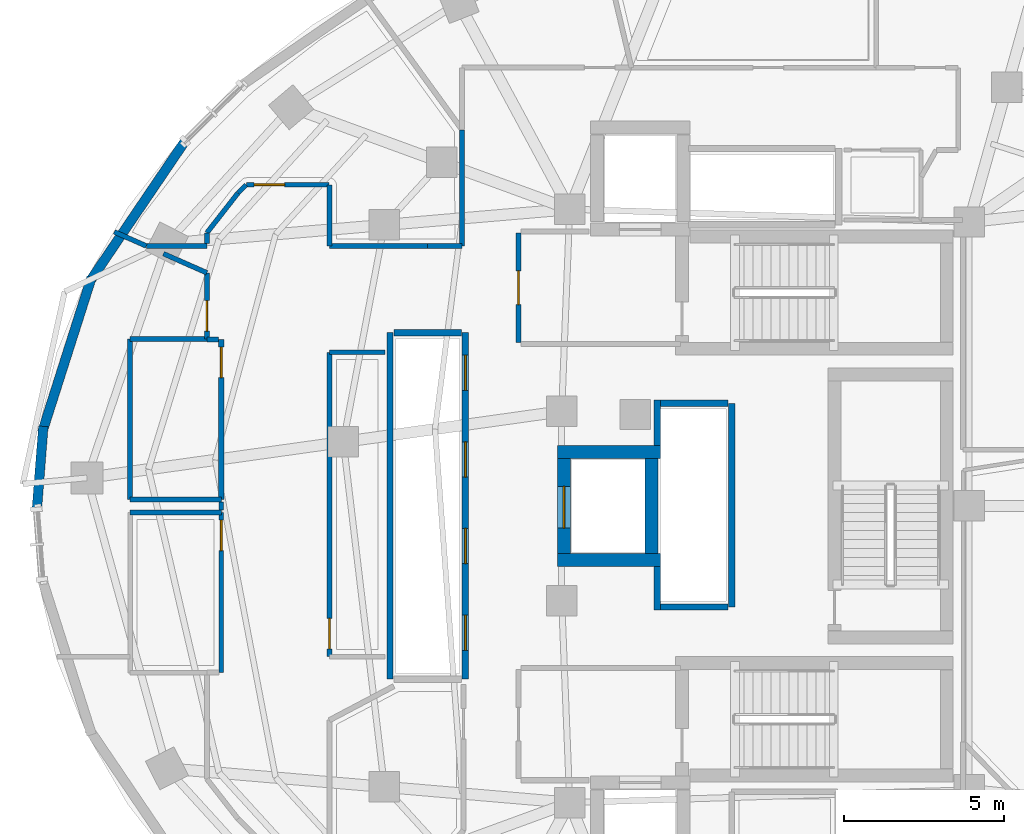
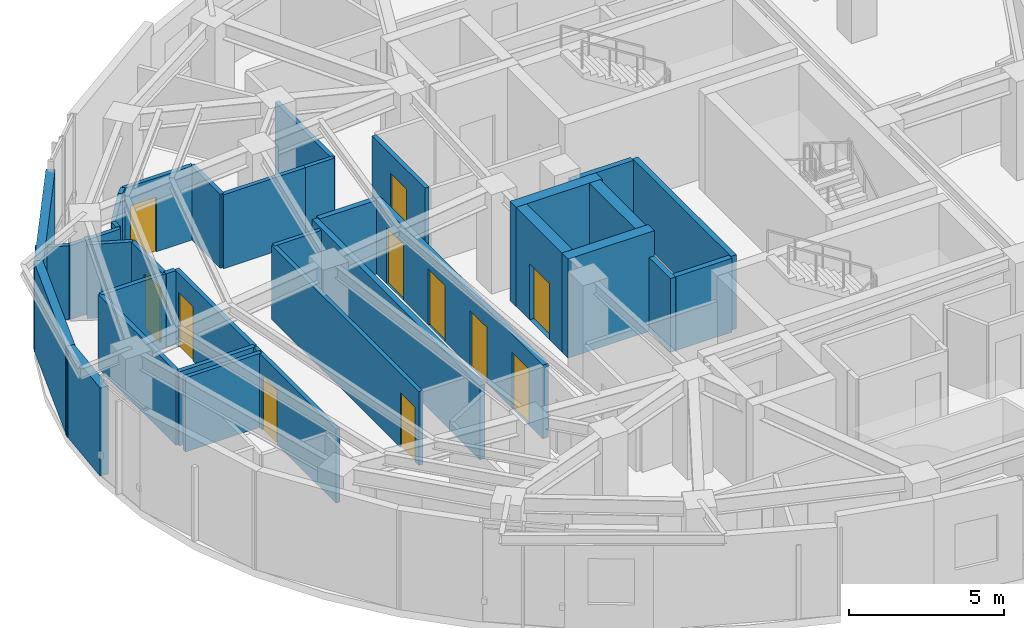
# One storey, part 8 of 13: 38 walls, 11 doors, 11 openings.
"""IFC4 building model written with IfcOpenShell, lengths in metres."""

import ifcopenshell
import ifcopenshell.guid

model = None  # the IFC model being written
_history = None  # IfcOwnerHistory: only IFC2X3 demands one
_inside = {}  # id of a spatial element -> (the spatial element, [elements in it])
_under = {}  # id of a project, library or spatial element -> (it, [spatial elements below it])
_declared = {}  # id of a project -> (the project, [libraries it declares])
_typed = {}  # id of a type object -> (the type object, [elements of that type])
_made_of = {}  # id of a material, layer set ... -> (it, [elements and type objects made of it])


def new_model(schema):
    """Start an empty IFC model of exactly this schema.

    Asked for "IFC4X3", IfcOpenShell would pick the latest addendum, in which some entities
    have other attributes; the version numbers below select the first issue.
    IFC2X3 requires an IfcOwnerHistory on every rooted entity: one is made here for all.
    """
    global model, _history
    if schema == "IFC4X3":
        model = ifcopenshell.file(schema_version=(4, 3, 0, 0))
    else:
        model = ifcopenshell.file(schema=schema)
    _inside.clear()
    _under.clear()
    _declared.clear()
    _typed.clear()
    _made_of.clear()
    _history = None
    if model.schema == "IFC2X3":
        org = make("IfcOrganization", Name="unknown")
        user = make(
            "IfcPersonAndOrganization",
            ThePerson=make("IfcPerson", FamilyName="unknown"),
            TheOrganization=org,
        )
        app = make(
            "IfcApplication",
            ApplicationDeveloper=org,
            Version="unknown",
            ApplicationFullName="unknown",
            ApplicationIdentifier="unknown",
        )
        _history = make(
            "IfcOwnerHistory",
            OwningUser=user,
            OwningApplication=app,
            ChangeAction="ADDED",
            CreationDate=0,
        )
    return model


def make(cls, **values):
    """One entity of the class cls with the attributes given. An attribute that is None is left unset."""
    return model.create_entity(
        cls, **{name: value for name, value in values.items() if value is not None}
    )


def rooted(cls, **values):
    """An entity with a GlobalId (a new one), such as an element, a storey or a relation."""
    return make(cls, GlobalId=ifcopenshell.guid.new(), OwnerHistory=_history, **values)


def si_unit(unit_type, name, prefix=None):
    """IfcSIUnit, for example si_unit("LENGTHUNIT", "METRE", prefix="MILLI")."""
    return make("IfcSIUnit", UnitType=unit_type, Prefix=prefix, Name=name)


def assignment(units):
    """IfcUnitAssignment: the units of a project."""
    return None if units is None else make("IfcUnitAssignment", Units=units)


def point(xyz):
    """IfcCartesianPoint."""
    return None if xyz is None else make("IfcCartesianPoint", Coordinates=xyz)


def direction(xyz):
    """IfcDirection."""
    return None if xyz is None else make("IfcDirection", DirectionRatios=xyz)


def frame(location, z_axis=None, x_axis=None):
    """IfcAxis2Placement3D, a coordinate frame: its origin and axes. An axis left out is left unset."""
    return make(
        "IfcAxis2Placement3D",
        Location=point(location),
        Axis=direction(z_axis),
        RefDirection=direction(x_axis),
    )


def frame_2d(location, x_axis=None):
    """IfcAxis2Placement2D, a coordinate frame in the plane: its origin and x axis."""
    return make(
        "IfcAxis2Placement2D", Location=point(location), RefDirection=direction(x_axis)
    )


def origin():
    """The frame at (0, 0, 0) with its axes left unset."""
    return frame((0.0, 0.0, 0.0))


def place(relative_to, where):
    """IfcLocalPlacement: puts the frame where relative to a parent placement (None: the world)."""
    return make(
        "IfcLocalPlacement", PlacementRelTo=relative_to, RelativePlacement=where
    )


def context(
    kind, dimensions, precision=None, world=None, true_north=None, identifier=None
):
    """IfcGeometricRepresentationContext, for example the 3D "Model" context."""
    return make(
        "IfcGeometricRepresentationContext",
        ContextIdentifier=identifier,
        ContextType=kind,
        CoordinateSpaceDimension=dimensions,
        Precision=precision,
        WorldCoordinateSystem=world,
        TrueNorth=true_north,
    )


def subcontext(parent, identifier, kind, view, scale=None):
    """IfcGeometricRepresentationSubContext, for example "Body" below "Model"."""
    return make(
        "IfcGeometricRepresentationSubContext",
        ContextIdentifier=identifier,
        ContextType=kind,
        ParentContext=parent,
        TargetScale=scale,
        TargetView=view,
    )


def project(units=None, contexts=None):
    """IfcProject with its units and contexts."""
    return rooted(
        "IfcProject",
        Name="project",
        RepresentationContexts=contexts,
        UnitsInContext=assignment(units),
    )


def spatial(cls, under=None, at=None, **own):
    """A site, building, storey or space (cls), placed at a placement, below another one or the project."""
    s = rooted(cls, ObjectPlacement=at, **own)
    if under is not None:
        _under.setdefault(under.id(), (under, []))[1].append(s)
    return s


def profile(cls, at=None, kind="AREA", **sizes):
    """A parametric profile (cls). Its sizes go by their IFC names, for example OverallWidth=200.0."""
    return make(cls, ProfileType=kind, Position=at, **sizes)


def rectangle(**sizes):
    """IfcRectangleProfileDef."""
    return profile("IfcRectangleProfileDef", **sizes)


def extrude(swept, where, along, depth):
    """IfcExtrudedAreaSolid: the profile swept, set in the frame where, extruded along a direction by depth."""
    return make(
        "IfcExtrudedAreaSolid",
        SweptArea=swept,
        Position=where,
        ExtrudedDirection=direction(along),
        Depth=depth,
    )


def shape(context_of_items, identifier, shape_type, items):
    """IfcShapeRepresentation: the items that make up one representation, for example the "Body"."""
    return make(
        "IfcShapeRepresentation",
        ContextOfItems=context_of_items,
        RepresentationIdentifier=identifier,
        RepresentationType=shape_type,
        Items=items,
    )


def material(Name=None, Category=None):
    """IfcMaterial."""
    return make("IfcMaterial", Name=Name, Category=Category)


def layer(
    of_material, thickness, ventilated=None, Name=None, Category=None, Priority=None
):
    """IfcMaterialLayer: one layer of a wall or slab, of a material (None: an air gap)."""
    return make(
        "IfcMaterialLayer",
        Material=of_material,
        LayerThickness=thickness,
        IsVentilated=ventilated,
        Name=Name,
        Category=Category,
        Priority=Priority,
    )


def layer_set(layers, Name=None):
    """IfcMaterialLayerSet."""
    return make("IfcMaterialLayerSet", MaterialLayers=layers, LayerSetName=Name)


def made_of(thing, what):
    """Note that an element or type object is made of a material, layer set ...; save() writes the relation."""
    if what is not None:
        _made_of.setdefault(what.id(), (what, []))[1].append(thing)
    return thing


def type_object(cls, material=None, **own):
    """A type object (cls), such as IfcWallType, which elements share."""
    return made_of(rooted(cls, **own), material)


def element(
    cls,
    number,
    at=None,
    inside=None,
    cuts=None,
    type_object=None,
    material=None,
    context=None,
    identifier="Body",
    shape_type=None,
    held_by="IfcProductDefinitionShape",
    body=None,
    shapes=None,
    **own,
):
    """One element of the class cls, such as IfcWall. Its Tag is "e" and its number.

    at: its placement. inside: the storey or other place that contains it. cuts: it is an
    opening in that element (IfcRelVoidsElement). A single representation is given by context,
    identifier, shape_type and body (its items); several are given by shapes. held_by: the class
    of the entity that holds the representations. save() writes the other relations.
    """
    e = rooted(cls, Tag="e%d" % number, ObjectPlacement=at, **own)
    if body is not None:
        shapes = [shape(context, identifier, shape_type, body)]
    if shapes is not None:
        e.Representation = make(held_by, Representations=shapes)
    if inside is not None:
        _inside.setdefault(inside.id(), (inside, []))[1].append(e)
    if cuts is not None:
        rooted(
            "IfcRelVoidsElement", RelatingBuildingElement=cuts, RelatedOpeningElement=e
        )
    if type_object is not None:
        _typed.setdefault(type_object.id(), (type_object, []))[1].append(e)
    return made_of(e, material)


def fill(opening, filler):
    """IfcRelFillsElement: the door or window that sits in an opening."""
    return rooted(
        "IfcRelFillsElement",
        RelatingOpeningElement=opening,
        RelatedBuildingElement=filler,
    )


def aggregate(whole, parts):
    """IfcRelAggregates: a whole, such as a stair, and the parts it consists of."""
    return rooted("IfcRelAggregates", RelatingObject=whole, RelatedObjects=parts)


def save(model, path):
    """Write the relations noted so far, then the file.

    IfcRelAggregates (storeys below a building ...), IfcRelContainedInSpatialStructure (elements
    in a storey), IfcRelDefinesByType, IfcRelAssociatesMaterial and IfcRelDeclares: one each for
    every whole, place, type object, material and project.
    """
    for whole, parts in _under.values():
        aggregate(whole, parts)
    for where, things in _inside.values():
        rooted(
            "IfcRelContainedInSpatialStructure",
            RelatedElements=things,
            RelatingStructure=where,
        )
    for kind, things in _typed.values():
        rooted("IfcRelDefinesByType", RelatedObjects=things, RelatingType=kind)
    for what, things in _made_of.values():
        rooted("IfcRelAssociatesMaterial", RelatedObjects=things, RelatingMaterial=what)
    for by, libraries in _declared.values():
        rooted("IfcRelDeclares", RelatingContext=by, RelatedDefinitions=libraries)
    model.write(path)


model = new_model("IFC4")

# Units and contexts
model_context = context("Model", 3, precision=1e-05, world=origin(), true_north=direction((0.0, 1.0)))
body_context = subcontext(model_context, "Body", "Model", "MODEL_VIEW")
ifc_project = project(units=[si_unit("LENGTHUNIT", "METRE"), si_unit("AREAUNIT", "SQUARE_METRE"), si_unit("VOLUMEUNIT", "CUBIC_METRE"), si_unit("PLANEANGLEUNIT", "RADIAN"), si_unit("MASSUNIT", "GRAM", prefix="KILO")], contexts=[model_context])

# Site, building, storey
site_placement = place(None, origin())
site = spatial("IfcSite", under=ifc_project, at=site_placement, CompositionType="ELEMENT")
building_placement = place(site_placement, origin())
building = spatial("IfcBuilding", under=site, at=building_placement, Name="Korentha Bioscience Tower", CompositionType="ELEMENT")
storey_placement = place(building_placement, frame((0.0, 0.0, 200.39990234375)))
storey = spatial("IfcBuildingStorey", under=building, at=storey_placement, Name="L46", CompositionType="ELEMENT", Elevation=200.39990234375)

# Wall, opening, door
ifc_material_1 = material(Name="Double-Stud Acoustic Gypsum", Category="gypsum")
ifc_layer_1 = layer(ifc_material_1, 0.14990234375, Name="Double-Stud Acoustic Gypsum")
ifc_layer_set_1 = layer_set([ifc_layer_1], Name="Double-Stud Acoustic Gypsum (IW-L150)")
wall_type_1 = type_object("IfcWallType", Name="Acoustic Laboratory Partition Wall 150", PredefinedType="PARTITIONING", material=ifc_layer_set_1)
wall_1_placement = place(storey_placement, frame((14.239990234375, 26.800048828125, 0.0), z_axis=(0.0, 0.0, 1.0), x_axis=(0.0, -1.0, 0.0)))
wall_1 = element("IfcWall", 1, at=wall_1_placement, inside=storey, type_object=wall_type_1, Name="L46 Reclaimed Bank-1 Cold Freezer Alcove Entrance Wall", PredefinedType="PARTITIONING", context=body_context, shape_type="SweptSolid", body=[
    extrude(rectangle(XDim=4.989990234375, YDim=0.14990234375, at=frame_2d((2.4951171875, 0.0))), origin(), (0.0, 0.0, 1.0), 2.91015625),
])
opening_1_placement = place(wall_1_placement, frame((0.239990234375, 0.0, 0.0)))
opening_1 = element("IfcOpeningElement", 2, at=opening_1_placement, cuts=wall_1, Name="Opening ID-10L", PredefinedType="OPENING", context=body_context, shape_type="SweptSolid", body=[
    extrude(rectangle(XDim=0.949951171875, YDim=2.14990234375, at=frame_2d((0.47509765625, 1.074951171875))), frame((0.0, 0.08984375, 0.0), z_axis=(0.0, -1.0, 0.0), x_axis=(1.0, 0.0, 0.0)), (0.0, 0.0, 1.0), 0.1796875),
])
ifc_material_2 = material(Name="Phenolic Laminate Timber Core", Category="wood")
door_type_1 = type_object("IfcDoorType", Name="Laboratory Single Leaf Door 950x2150 Left", OperationType="SINGLE_SWING_LEFT", PredefinedType="DOOR", material=ifc_material_2)
door_1_placement = place(opening_1_placement, origin())
door_1 = element("IfcDoor", 3, at=door_1_placement, inside=storey, type_object=door_type_1, Name="L46 Reclaimed Bank-1 Cold Freezer Alcove Door", OperationType="SINGLE_SWING_LEFT", OverallHeight=2.14990234375, OverallWidth=0.949951171875, PredefinedType="DOOR", context=body_context, shape_type="SweptSolid", body=[
    extrude(rectangle(XDim=0.949951171875, YDim=2.14990234375, at=frame_2d((0.47509765625, 1.074951171875))), frame((0.0, 0.02490234375, 0.0), z_axis=(0.0, -1.0, 0.0), x_axis=(1.0, 0.0, 0.0)), (0.0, 0.0, 1.0), 0.050048828125),
])
fill(opening_1, door_1)

wall_2_placement = place(storey_placement, frame((17.60009765625, 37.010009765625, 0.0), z_axis=(0.0, 0.0, 1.0), x_axis=(-1.0, 0.0, 0.0)))
wall_2 = element("IfcWall", 4, at=wall_2_placement, inside=storey, type_object=wall_type_1, Name="L46 Automated High-Throughput Assay Lab 11 Entrance Wall", PredefinedType="PARTITIONING", context=body_context, shape_type="SweptSolid", body=[
    extrude(rectangle(XDim=2.576416015625, YDim=0.14990234375, at=frame_2d((1.2880859375, 0.0))), origin(), (0.0, 0.0, 1.0), 2.91015625),
])
opening_2_placement = place(wall_2_placement, frame((1.38623046875, 0.0, 0.0)))
opening_2 = element("IfcOpeningElement", 5, at=opening_2_placement, cuts=wall_2, Name="Opening ID-10L", PredefinedType="OPENING", context=body_context, shape_type="SweptSolid", body=[
    extrude(rectangle(XDim=0.949951171875, YDim=2.14990234375, at=frame_2d((0.47509765625, 1.074951171875))), frame((0.0, 0.08984375, 0.0), z_axis=(0.0, -1.0, 0.0), x_axis=(1.0, 0.0, 0.0)), (0.0, 0.0, 1.0), 0.1796875),
])
door_2_placement = place(opening_2_placement, origin())
door_2 = element("IfcDoor", 6, at=door_2_placement, inside=storey, type_object=door_type_1, Name="L46 Automated High-Throughput Assay Lab 11 Door", OperationType="SINGLE_SWING_LEFT", OverallHeight=2.14990234375, OverallWidth=0.949951171875, PredefinedType="DOOR", context=body_context, shape_type="SweptSolid", body=[
    extrude(rectangle(XDim=0.949951171875, YDim=2.14990234375, at=frame_2d((0.47509765625, 1.074951171875))), frame((0.0, 0.02490234375, 0.0), z_axis=(0.0, -1.0, 0.0), x_axis=(1.0, 0.0, 0.0)), (0.0, 0.0, 1.0), 0.050048828125),
])
fill(opening_2, door_2)

wall_3_placement = place(storey_placement, frame((13.7900390625, 34.265625, 0.0), z_axis=(0.0, 0.0, 1.0), x_axis=(0.0, -1.0, 0.0)))
wall_3 = element("IfcWall", 7, at=wall_3_placement, inside=storey, type_object=wall_type_1, Name="L46 Mass-Spectrometry Analytical Suite 12 Entrance Wall", PredefinedType="PARTITIONING", context=body_context, shape_type="SweptSolid", body=[
    extrude(rectangle(XDim=2.0556640625, YDim=0.14990234375, at=frame_2d((1.02783203125, 0.0))), origin(), (0.0, 0.0, 1.0), 2.91015625),
])
opening_3_placement = place(wall_3_placement, frame((0.865478515625, 0.0, 0.0)))
opening_3 = element("IfcOpeningElement", 8, at=opening_3_placement, cuts=wall_3, Name="Opening ID-10R", PredefinedType="OPENING", context=body_context, shape_type="SweptSolid", body=[
    extrude(rectangle(XDim=0.949951171875, YDim=2.14990234375, at=frame_2d((0.47509765625, 1.074951171875))), frame((0.0, 0.08984375, 0.0), z_axis=(0.0, -1.0, 0.0), x_axis=(1.0, 0.0, 0.0)), (0.0, 0.0, 1.0), 0.1796875),
])
door_type_2 = type_object("IfcDoorType", Name="Laboratory Single Leaf Door 950x2150 Right", OperationType="SINGLE_SWING_RIGHT", PredefinedType="DOOR", material=ifc_material_2)
door_3_placement = place(opening_3_placement, origin())
door_3 = element("IfcDoor", 9, at=door_3_placement, inside=storey, type_object=door_type_2, Name="L46 Mass-Spectrometry Analytical Suite 12 Door", OperationType="SINGLE_SWING_RIGHT", OverallHeight=2.14990234375, OverallWidth=0.949951171875, PredefinedType="DOOR", context=body_context, shape_type="SweptSolid", body=[
    extrude(rectangle(XDim=0.949951171875, YDim=2.14990234375, at=frame_2d((0.47509765625, 1.074951171875))), frame((0.0, 0.02490234375, 0.0), z_axis=(0.0, -1.0, 0.0), x_axis=(1.0, 0.0, 0.0)), (0.0, 0.0, 1.0), 0.050048828125),
])
fill(opening_3, door_3)

wall_4_placement = place(storey_placement, frame((17.610107421875, 22.302001953125, 0.0), z_axis=(0.0, 0.0, 1.0), x_axis=(0.0, 1.0, 0.0)))
wall_4 = element("IfcWall", 10, at=wall_4_placement, inside=storey, type_object=wall_type_1, Name="L46 HPLC Chromatography Room 13 Entrance Wall", PredefinedType="PARTITIONING", context=body_context, shape_type="SweptSolid", body=[
    extrude(rectangle(XDim=9.488037109375, YDim=0.14990234375, at=frame_2d((4.744140625, 0.0))), origin(), (0.0, 0.0, 1.0), 2.91015625),
])
opening_4_placement = place(wall_4_placement, frame((0.239990234375, 0.0, 0.0)))
opening_4 = element("IfcOpeningElement", 11, at=opening_4_placement, cuts=wall_4, Name="Opening ID-10L", PredefinedType="OPENING", context=body_context, shape_type="SweptSolid", body=[
    extrude(rectangle(XDim=0.949951171875, YDim=2.14990234375, at=frame_2d((0.47509765625, 1.074951171875))), frame((0.0, 0.08984375, 0.0), z_axis=(0.0, -1.0, 0.0), x_axis=(1.0, 0.0, 0.0)), (0.0, 0.0, 1.0), 0.1796875),
])
door_4_placement = place(opening_4_placement, origin())
door_4 = element("IfcDoor", 12, at=door_4_placement, inside=storey, type_object=door_type_1, Name="L46 HPLC Chromatography Room 13 Door", OperationType="SINGLE_SWING_LEFT", OverallHeight=2.14990234375, OverallWidth=0.949951171875, PredefinedType="DOOR", context=body_context, shape_type="SweptSolid", body=[
    extrude(rectangle(XDim=0.949951171875, YDim=2.14990234375, at=frame_2d((0.47509765625, 1.074951171875))), frame((0.0, 0.02490234375, 0.0), z_axis=(0.0, -1.0, 0.0), x_axis=(1.0, 0.0, 0.0)), (0.0, 0.0, 1.0), 0.050048828125),
])
fill(opening_4, door_4)

# Walls
wall_5_placement = place(storey_placement, frame((11.39990234375, 26.800048828125, 0.0), z_axis=(0.0, 0.0, 1.0), x_axis=(1.0, 0.0, 0.0)))
element("IfcWall", 13, at=wall_5_placement, inside=storey, type_object=wall_type_1, Name="L46 Interior Partition 028", PredefinedType="PARTITIONING", context=body_context, shape_type="SweptSolid", body=[
    extrude(rectangle(XDim=2.840087890625, YDim=0.14990234375, at=frame_2d((1.419921875, 0.0))), origin(), (0.0, 0.0, 1.0), 2.91015625),
])
wall_6_placement = place(storey_placement, frame((21.739990234375, 38.721923828125, 0.0), z_axis=(0.0, 0.0, 1.0), x_axis=(0.0, -1.0, 0.0)))
element("IfcWall", 14, at=wall_6_placement, inside=storey, type_object=wall_type_1, Name="L46 Interior Partition 073", PredefinedType="PARTITIONING", context=body_context, shape_type="SweptSolid", body=[
    extrude(rectangle(XDim=3.619873046875, YDim=0.14990234375, at=frame_2d((1.81005859375, 0.0))), origin(), (0.0, 0.0, 1.0), 2.91015625),
])
wall_7_placement = place(storey_placement, frame((21.739990234375, 35.10205078125, 0.0), z_axis=(0.0, 0.0, 1.0), x_axis=(-1.0, 0.0, 0.0)))
element("IfcWall", 15, at=wall_7_placement, inside=storey, type_object=wall_type_1, Name="L46 Interior Partition 074", PredefinedType="PARTITIONING", context=body_context, shape_type="SweptSolid", body=[
    extrude(rectangle(XDim=1.072021484375, YDim=0.14990234375, at=frame_2d((0.5361328125, 0.0))), origin(), (0.0, 0.0, 1.0), 2.91015625),
])
wall_8_placement = place(storey_placement, frame((20.661376953125, 35.10205078125, 0.0), z_axis=(0.0, 0.0, 1.0), x_axis=(-1.0, 0.0, 0.0)))
element("IfcWall", 16, at=wall_8_placement, inside=storey, type_object=wall_type_1, Name="L46 Interior Partition 075", PredefinedType="PARTITIONING", context=body_context, shape_type="SweptSolid", body=[
    extrude(rectangle(XDim=3.05126953125, YDim=0.14990234375, at=frame_2d((1.525634765625, 0.0))), origin(), (0.0, 0.0, 1.0), 2.91015625),
])
wall_9_placement = place(storey_placement, frame((17.610107421875, 35.10205078125, 0.0), z_axis=(0.0, 0.0, 1.0), x_axis=(0.0, 1.0, 0.0)))
element("IfcWall", 17, at=wall_9_placement, inside=storey, type_object=wall_type_1, Name="L46 Interior Partition 076", PredefinedType="PARTITIONING", context=body_context, shape_type="SweptSolid", body=[
    extrude(rectangle(XDim=1.89794921875, YDim=0.14990234375, at=frame_2d((0.948974609375, 0.0))), origin(), (0.0, 0.0, 1.0), 2.91015625),
])
wall_10_placement = place(storey_placement, frame((15.0166015625, 37.007080078125, 0.0), z_axis=(0.0, 0.0, 1.0), x_axis=(-0.711174408111, -0.70301561949, 0.0)))
element("IfcWall", 18, at=wall_10_placement, inside=storey, type_object=wall_type_1, Name="L46 Interior Partition 077", PredefinedType="PARTITIONING", context=body_context, shape_type="SweptSolid", body=[
    extrude(rectangle(XDim=0.359130859375, YDim=0.14990234375, at=frame_2d((0.1796875, 0.0))), origin(), (0.0, 0.0, 1.0), 2.91015625),
])
wall_11_placement = place(storey_placement, frame((14.760498046875, 36.753662109375, 0.0), z_axis=(0.0, 0.0, 1.0), x_axis=(-0.615625972761, -0.788038489962, 0.0)))
element("IfcWall", 19, at=wall_11_placement, inside=storey, type_object=wall_type_1, Name="L46 Interior Partition 078", PredefinedType="PARTITIONING", context=body_context, shape_type="SweptSolid", body=[
    extrude(rectangle(XDim=1.5732421875, YDim=0.14990234375, at=frame_2d((0.78662109375, 0.0))), origin(), (0.0, 0.0, 1.0), 2.91015625),
])
wall_12_placement = place(storey_placement, frame((13.7900390625, 35.5078125, 0.0), z_axis=(0.0, 0.0, 1.0), x_axis=(0.0, -1.0, 0.0)))
element("IfcWall", 20, at=wall_12_placement, inside=storey, type_object=wall_type_1, Name="L46 Interior Partition 079", PredefinedType="PARTITIONING", context=body_context, shape_type="SweptSolid", body=[
    extrude(rectangle(XDim=0.327880859375, YDim=0.14990234375, at=frame_2d((0.1640625, 0.0))), origin(), (0.0, 0.0, 1.0), 2.91015625),
])
wall_13_placement = place(storey_placement, frame((13.7900390625, 35.10205078125, 0.0), z_axis=(0.0, 0.0, 1.0), x_axis=(-1.0, 0.0, 0.0)))
element("IfcWall", 21, at=wall_13_placement, inside=storey, type_object=wall_type_1, Name="L46 Interior Partition 080", PredefinedType="PARTITIONING", context=body_context, shape_type="SweptSolid", body=[
    extrude(rectangle(XDim=1.885498046875, YDim=0.14990234375, at=frame_2d((0.94287109375, 0.0))), origin(), (0.0, 0.0, 1.0), 2.91015625),
])
wall_14_placement = place(storey_placement, frame((11.904296875, 35.10205078125, 0.0), z_axis=(0.0, 0.0, 1.0), x_axis=(-0.914934829938, 0.403601606744, 0.0)))
element("IfcWall", 22, at=wall_14_placement, inside=storey, type_object=wall_type_1, Name="L46 Interior Partition 081", PredefinedType="PARTITIONING", context=body_context, shape_type="SweptSolid", body=[
    extrude(rectangle(XDim=1.090087890625, YDim=0.14990234375, at=frame_2d((0.544921875, 0.0))), origin(), (0.0, 0.0, 1.0), 2.91015625),
])
wall_15_placement = place(storey_placement, frame((12.4384765625, 34.862060546875, 0.0), z_axis=(0.0, 0.0, 1.0), x_axis=(0.91487830716, -0.403729715389, 0.0)))
element("IfcWall", 23, at=wall_15_placement, inside=storey, type_object=wall_type_1, Name="L46 Interior Partition 083", PredefinedType="PARTITIONING", context=body_context, shape_type="SweptSolid", body=[
    extrude(rectangle(XDim=1.477294921875, YDim=0.14990234375, at=frame_2d((0.73876953125, 0.0))), origin(), (0.0, 0.0, 1.0), 2.91015625),
])
wall_16_placement = place(storey_placement, frame((14.239990234375, 27.116943359375, 0.0), z_axis=(0.0, 0.0, 1.0), x_axis=(0.0, -1.0, 0.0)))
element("IfcWall", 24, at=wall_16_placement, inside=storey, type_object=wall_type_1, Name="L46 Interior Partition 084", PredefinedType="PARTITIONING", context=body_context, shape_type="SweptSolid", body=[
    extrude(rectangle(XDim=0.239013671875, YDim=0.14990234375, at=frame_2d((0.11962890625, 0.0))), origin(), (0.0, 0.0, 1.0), 2.91015625),
])
wall_17_placement = place(storey_placement, frame((17.610107421875, 31.7900390625, 0.0), z_axis=(0.0, 0.0, 1.0), x_axis=(1.0, 0.0, 0.0)))
element("IfcWall", 25, at=wall_17_placement, inside=storey, type_object=wall_type_1, Name="L46 Interior Partition 086", PredefinedType="PARTITIONING", context=body_context, shape_type="SweptSolid", body=[
    extrude(rectangle(XDim=1.72998046875, YDim=0.14990234375, at=frame_2d((0.864990234375, 0.0))), origin(), (0.0, 0.0, 1.0), 2.91015625),
])

# Wall, opening, door
ifc_material_3 = material(Name="Gypsum-Clad Steel Stud", Category="steel")
ifc_layer_2 = layer(ifc_material_3, 0.159912109375, Name="Gypsum-Clad Steel Stud")
ifc_layer_set_2 = layer_set([ifc_layer_2], Name="Gypsum-Clad Steel Stud (IW-C160)")
wall_type_2 = type_object("IfcWallType", Name="Fire-Rated Corridor Partition Wall 160", PredefinedType="PARTITIONING", material=ifc_layer_set_2)
wall_18_placement = place(storey_placement, frame((23.5, 32.10009765625, 0.0), z_axis=(0.0, 0.0, 1.0), x_axis=(0.0, 1.0, 0.0)))
wall_18 = element("IfcWall", 26, at=wall_18_placement, inside=storey, type_object=wall_type_2, Name="L46 FFLN-CW Rated Enclosure Wall", PredefinedType="PARTITIONING", context=body_context, shape_type="SweptSolid", body=[
    extrude(rectangle(XDim=3.39990234375, YDim=0.159912109375, at=frame_2d((1.699951171875, 0.0))), origin(), (0.0, 0.0, 1.0), 2.91015625),
])
opening_5_placement = place(wall_18_placement, frame((1.175048828125, 0.0, 0.0)))
opening_5 = element("IfcOpeningElement", 27, at=opening_5_placement, cuts=wall_18, Name="Opening FD-90L", PredefinedType="OPENING", context=body_context, shape_type="SweptSolid", body=[
    extrude(rectangle(XDim=1.050048828125, YDim=2.14990234375, at=frame_2d((0.52490234375, 1.074951171875))), frame((0.0, 0.0947265625, 0.0), z_axis=(0.0, -1.0, 0.0), x_axis=(1.0, 0.0, 0.0)), (0.0, 0.0, 1.0), 0.189697265625),
])
ifc_material_4 = material(Name="Powder-Coated Fire-Rated Steel", Category="steel")
door_type_3 = type_object("IfcDoorType", Name="Stairwell Fire Exit Door 1050x2150 Left", OperationType="SINGLE_SWING_LEFT", PredefinedType="DOOR", material=ifc_material_4)
door_5_placement = place(opening_5_placement, origin())
door_5 = element("IfcDoor", 28, at=door_5_placement, inside=storey, type_object=door_type_3, Name="L46 North Firefighting Lobby Door", OperationType="SINGLE_SWING_LEFT", OverallHeight=2.14990234375, OverallWidth=1.050048828125, PredefinedType="DOOR", context=body_context, shape_type="SweptSolid", body=[
    extrude(rectangle(XDim=1.050048828125, YDim=2.14990234375, at=frame_2d((0.52490234375, 1.074951171875))), frame((0.0, 0.02490234375, 0.0), z_axis=(0.0, -1.0, 0.0), x_axis=(1.0, 0.0, 0.0)), (0.0, 0.0, 1.0), 0.050048828125),
])
fill(opening_5, door_5)

wall_19_placement = place(storey_placement, frame((14.239990234375, 32.18994140625, 0.0), z_axis=(0.0, 0.0, 1.0), x_axis=(0.0, -1.0, 0.0)))
wall_19 = element("IfcWall", 29, at=wall_19_placement, inside=storey, type_object=wall_type_2, Name="L46 Reclaimed Bank-1 Glassware Store Entrance Wall", PredefinedType="PARTITIONING", context=body_context, shape_type="SweptSolid", body=[
    extrude(rectangle(XDim=4.989990234375, YDim=0.159912109375, at=frame_2d((2.4951171875, 0.0))), origin(), (0.0, 0.0, 1.0), 2.91015625),
])
opening_6_placement = place(wall_19_placement, frame((0.239990234375, 0.0, 0.0)))
opening_6 = element("IfcOpeningElement", 30, at=opening_6_placement, cuts=wall_19, Name="Opening ID-10R", PredefinedType="OPENING", context=body_context, shape_type="SweptSolid", body=[
    extrude(rectangle(XDim=0.949951171875, YDim=2.14990234375, at=frame_2d((0.47509765625, 1.074951171875))), frame((0.0, 0.0947265625, 0.0), z_axis=(0.0, -1.0, 0.0), x_axis=(1.0, 0.0, 0.0)), (0.0, 0.0, 1.0), 0.189697265625),
])
door_6_placement = place(opening_6_placement, origin())
door_6 = element("IfcDoor", 31, at=door_6_placement, inside=storey, type_object=door_type_2, Name="L46 Reclaimed Bank-1 Glassware Store Door", OperationType="SINGLE_SWING_RIGHT", OverallHeight=2.14990234375, OverallWidth=0.949951171875, PredefinedType="DOOR", context=body_context, shape_type="SweptSolid", body=[
    extrude(rectangle(XDim=0.949951171875, YDim=2.14990234375, at=frame_2d((0.47509765625, 1.074951171875))), frame((0.0, 0.02490234375, 0.0), z_axis=(0.0, -1.0, 0.0), x_axis=(1.0, 0.0, 0.0)), (0.0, 0.0, 1.0), 0.050048828125),
])
fill(opening_6, door_6)

# Walls
wall_20_placement = place(storey_placement, frame((13.800048828125, 32.18994140625, 0.0), z_axis=(0.0, 0.0, 1.0), x_axis=(1.0, 0.0, 0.0)))
element("IfcWall", 32, at=wall_20_placement, inside=storey, type_object=wall_type_2, Name="L46 Interior Partition 029", PredefinedType="PARTITIONING", context=body_context, shape_type="SweptSolid", body=[
    extrude(rectangle(XDim=0.35693359375, YDim=0.159912109375, at=frame_2d((0.178466796875, 0.0))), origin(), (0.0, 0.0, 1.0), 2.91015625),
])
wall_21_placement = place(storey_placement, frame((14.239990234375, 27.199951171875, 0.0), z_axis=(0.0, 0.0, 1.0), x_axis=(-1.0, 0.0, 0.0)))
element("IfcWall", 33, at=wall_21_placement, inside=storey, type_object=wall_type_2, Name="L46 Interior Partition 030", PredefinedType="PARTITIONING", context=body_context, shape_type="SweptSolid", body=[
    extrude(rectangle(XDim=2.840087890625, YDim=0.159912109375, at=frame_2d((1.419921875, 0.0))), origin(), (0.0, 0.0, 1.0), 2.91015625),
])
wall_22_placement = place(storey_placement, frame((11.39990234375, 27.199951171875, 0.0), z_axis=(0.0, 0.0, 1.0), x_axis=(0.0, 1.0, 0.0)))
element("IfcWall", 34, at=wall_22_placement, inside=storey, type_object=wall_type_2, Name="L46 Interior Partition 031", PredefinedType="PARTITIONING", context=body_context, shape_type="SweptSolid", body=[
    extrude(rectangle(XDim=5.0, YDim=0.159912109375, at=frame_2d((2.5, 0.0))), origin(), (0.0, 0.0, 1.0), 2.91015625),
])
wall_23_placement = place(storey_placement, frame((11.39990234375, 32.199951171875, 0.0), z_axis=(0.0, 0.0, 1.0), x_axis=(1.0, 0.0, 0.0)))
element("IfcWall", 35, at=wall_23_placement, inside=storey, type_object=wall_type_2, Name="L46 Interior Partition 032", PredefinedType="PARTITIONING", context=body_context, shape_type="SweptSolid", body=[
    extrude(rectangle(XDim=2.39013671875, YDim=0.159912109375, at=frame_2d((1.195068359375, 0.0))), origin(), (0.0, 0.0, 1.0), 2.91015625),
])
ifc_material_5 = material(Name="Honed Limestone Precast Concrete C40", Category="masonry")
ifc_layer_3 = layer(ifc_material_5, 0.300048828125, Name="Honed Limestone Precast Concrete C40")
ifc_layer_set_3 = layer_set([ifc_layer_3], Name="Honed Limestone Precast Concrete C40 (EW-ST300)")
wall_type_3 = type_object("IfcWallType", Name="Honed Limestone Cavity Spandrel Wall 300", PredefinedType="STANDARD", material=ifc_layer_set_3)
wall_24_placement = place(storey_placement, frame((13.1025390625, 38.3603515625, 0.0), z_axis=(0.0, 0.0, 1.0), x_axis=(-0.561387104339, -0.827553333074, 0.0)))
element("IfcWall", 36, at=wall_24_placement, inside=storey, type_object=wall_type_3, Name="L46 Limestone Perimeter Closure Wall 14", PredefinedType="STANDARD", context=body_context, shape_type="SweptSolid", body=[
    extrude(rectangle(XDim=5.327392578125, YDim=0.300048828125, at=frame_2d((2.66357421875, 0.0))), origin(), (0.0, 0.0, 1.0), 3.47021484375),
])
wall_25_placement = place(storey_placement, frame((10.198486328125, 34.130126953125, 0.0), z_axis=(0.0, 0.0, 1.0), x_axis=(-0.30372166002, -0.952760805887, 0.0)))
element("IfcWall", 37, at=wall_25_placement, inside=storey, type_object=wall_type_3, Name="L46 Limestone Perimeter Closure Wall 16", PredefinedType="STANDARD", context=body_context, shape_type="SweptSolid", body=[
    extrude(rectangle(XDim=5.076904296875, YDim=0.300048828125, at=frame_2d((2.53857421875, 0.0))), origin(), (0.0, 0.0, 1.0), 3.47021484375),
])
wall_26_placement = place(storey_placement, frame((8.693359375, 29.48046875, 0.0), z_axis=(0.0, 0.0, 1.0), x_axis=(-0.077999392987, -0.996953406481, 0.0)))
element("IfcWall", 38, at=wall_26_placement, inside=storey, type_object=wall_type_3, Name="L46 Limestone Perimeter Closure Wall 18", PredefinedType="STANDARD", context=body_context, shape_type="SweptSolid", body=[
    extrude(rectangle(XDim=2.5791015625, YDim=0.300048828125, at=frame_2d((1.28955078125, 0.0))), origin(), (0.0, 0.0, 1.0), 3.47021484375),
])
ifc_material_6 = material(Name="Autoclaved Aerated Concrete Block C25", Category="concrete")
ifc_layer_4 = layer(ifc_material_6, 0.199951171875, Name="Autoclaved Aerated Concrete Block C25")
ifc_layer_set_4 = layer_set([ifc_layer_4], Name="Autoclaved Aerated Concrete Block C25 (IW-S200)")
wall_type_4 = type_object("IfcWallType", Name="Lift and Riser Shaft Enclosure Wall 200", PredefinedType="PARTITIONING", material=ifc_layer_set_4)
wall_27_placement = place(storey_placement, frame((19.5, 21.60009765625, 0.0), z_axis=(0.0, 0.0, 1.0), x_axis=(0.0, 1.0, 0.0)))
element("IfcWall", 39, at=wall_27_placement, inside=storey, type_object=wall_type_4, Name="L46 Lift Bank MID Shaft Wall -X", PredefinedType="PARTITIONING", context=body_context, shape_type="SweptSolid", body=[
    extrude(rectangle(XDim=10.7998046875, YDim=0.199951171875, at=frame_2d((5.39990234375, 0.0))), origin(), (0.0, 0.0, 1.0), 2.91015625),
])

# Wall, openings, doors
wall_28_placement = place(storey_placement, frame((21.85009765625, 21.60009765625, 0.0), z_axis=(0.0, 0.0, 1.0), x_axis=(0.0, 1.0, 0.0)))
wall_28 = element("IfcWall", 40, at=wall_28_placement, inside=storey, type_object=wall_type_4, Name="L46 Lift Bank MID Shaft Wall +X", PredefinedType="PARTITIONING", context=body_context, shape_type="SweptSolid", body=[
    extrude(rectangle(XDim=10.7998046875, YDim=0.199951171875, at=frame_2d((5.39990234375, 0.0))), origin(), (0.0, 0.0, 1.0), 2.91015625),
])
opening_7_placement = place(wall_28_placement, frame((0.89990234375, 0.0, 0.0)))
opening_7 = element("IfcOpeningElement", 41, at=opening_7_placement, cuts=wall_28, Name="Opening LD-11", PredefinedType="OPENING", context=body_context, shape_type="SweptSolid", body=[
    extrude(rectangle(XDim=1.10009765625, YDim=2.199951171875, at=frame_2d((0.550048828125, 1.10009765625))), frame((0.0, 0.11474609375, 0.0), z_axis=(0.0, -1.0, 0.0), x_axis=(1.0, 0.0, 0.0)), (0.0, 0.0, 1.0), 0.229736328125),
])
opening_8_placement = place(wall_28_placement, frame((3.60009765625, 0.0, 0.0)))
opening_8 = element("IfcOpeningElement", 42, at=opening_8_placement, cuts=wall_28, Name="Opening LD-11", PredefinedType="OPENING", context=body_context, shape_type="SweptSolid", body=[
    extrude(rectangle(XDim=1.10009765625, YDim=2.199951171875, at=frame_2d((0.550048828125, 1.10009765625))), frame((0.0, 0.11474609375, 0.0), z_axis=(0.0, -1.0, 0.0), x_axis=(1.0, 0.0, 0.0)), (0.0, 0.0, 1.0), 0.229736328125),
])
opening_9_placement = place(wall_28_placement, frame((6.300048828125, 0.0, 0.0)))
opening_9 = element("IfcOpeningElement", 43, at=opening_9_placement, cuts=wall_28, Name="Opening LD-11", PredefinedType="OPENING", context=body_context, shape_type="SweptSolid", body=[
    extrude(rectangle(XDim=1.10009765625, YDim=2.199951171875, at=frame_2d((0.550048828125, 1.10009765625))), frame((0.0, 0.11474609375, 0.0), z_axis=(0.0, -1.0, 0.0), x_axis=(1.0, 0.0, 0.0)), (0.0, 0.0, 1.0), 0.229736328125),
])
opening_10_placement = place(wall_28_placement, frame((9.0, 0.0, 0.0)))
opening_10 = element("IfcOpeningElement", 44, at=opening_10_placement, cuts=wall_28, Name="Opening LD-11", PredefinedType="OPENING", context=body_context, shape_type="SweptSolid", body=[
    extrude(rectangle(XDim=1.10009765625, YDim=2.199951171875, at=frame_2d((0.550048828125, 1.10009765625))), frame((0.0, 0.11474609375, 0.0), z_axis=(0.0, -1.0, 0.0), x_axis=(1.0, 0.0, 0.0)), (0.0, 0.0, 1.0), 0.229736328125),
])
ifc_material_7 = material(Name="Brushed Stainless Steel 304", Category="steel")
door_type_4 = type_object("IfcDoorType", Name="Passenger Lift Sliding Landing Door 1100x2200", OperationType="DOUBLE_DOOR_SLIDING", PredefinedType="DOOR", material=ifc_material_7)
door_7_placement = place(opening_7_placement, origin())
door_7 = element("IfcDoor", 45, at=door_7_placement, inside=storey, type_object=door_type_4, Name="L46 PL-M1 Sliding Lift Landing Door", OperationType="DOUBLE_DOOR_SLIDING", OverallHeight=2.199951171875, OverallWidth=1.10009765625, PredefinedType="DOOR", context=body_context, shape_type="SweptSolid", body=[
    extrude(rectangle(XDim=1.10009765625, YDim=2.199951171875, at=frame_2d((0.550048828125, 1.10009765625))), frame((0.0, 0.02490234375, 0.0), z_axis=(0.0, -1.0, 0.0), x_axis=(1.0, 0.0, 0.0)), (0.0, 0.0, 1.0), 0.050048828125),
])
fill(opening_7, door_7)
door_8_placement = place(opening_8_placement, origin())
door_8 = element("IfcDoor", 46, at=door_8_placement, inside=storey, type_object=door_type_4, Name="L46 PL-M2 Sliding Lift Landing Door", OperationType="DOUBLE_DOOR_SLIDING", OverallHeight=2.199951171875, OverallWidth=1.10009765625, PredefinedType="DOOR", context=body_context, shape_type="SweptSolid", body=[
    extrude(rectangle(XDim=1.10009765625, YDim=2.199951171875, at=frame_2d((0.550048828125, 1.10009765625))), frame((0.0, 0.02490234375, 0.0), z_axis=(0.0, -1.0, 0.0), x_axis=(1.0, 0.0, 0.0)), (0.0, 0.0, 1.0), 0.050048828125),
])
fill(opening_8, door_8)
door_9_placement = place(opening_9_placement, origin())
door_9 = element("IfcDoor", 47, at=door_9_placement, inside=storey, type_object=door_type_4, Name="L46 PL-M3 Sliding Lift Landing Door", OperationType="DOUBLE_DOOR_SLIDING", OverallHeight=2.199951171875, OverallWidth=1.10009765625, PredefinedType="DOOR", context=body_context, shape_type="SweptSolid", body=[
    extrude(rectangle(XDim=1.10009765625, YDim=2.199951171875, at=frame_2d((0.550048828125, 1.10009765625))), frame((0.0, 0.02490234375, 0.0), z_axis=(0.0, -1.0, 0.0), x_axis=(1.0, 0.0, 0.0)), (0.0, 0.0, 1.0), 0.050048828125),
])
fill(opening_9, door_9)
door_10_placement = place(opening_10_placement, origin())
door_10 = element("IfcDoor", 48, at=door_10_placement, inside=storey, type_object=door_type_4, Name="L46 PL-M4 Sliding Lift Landing Door", OperationType="DOUBLE_DOOR_SLIDING", OverallHeight=2.199951171875, OverallWidth=1.10009765625, PredefinedType="DOOR", context=body_context, shape_type="SweptSolid", body=[
    extrude(rectangle(XDim=1.10009765625, YDim=2.199951171875, at=frame_2d((0.550048828125, 1.10009765625))), frame((0.0, 0.02490234375, 0.0), z_axis=(0.0, -1.0, 0.0), x_axis=(1.0, 0.0, 0.0)), (0.0, 0.0, 1.0), 0.050048828125),
])
fill(opening_10, door_10)

# Walls
wall_29_placement = place(storey_placement, frame((19.6201171875, 32.39990234375, 0.0), z_axis=(0.0, 0.0, 1.0), x_axis=(1.0, 0.0, 0.0)))
element("IfcWall", 49, at=wall_29_placement, inside=storey, type_object=wall_type_4, Name="L46 Lift Bank MID Shaft Wall +Y", PredefinedType="PARTITIONING", context=body_context, shape_type="SweptSolid", body=[
    extrude(rectangle(XDim=2.10986328125, YDim=0.199951171875, at=frame_2d((1.054931640625, 0.0))), origin(), (0.0, 0.0, 1.0), 2.91015625),
])
wall_30_placement = place(storey_placement, frame((27.830078125, 23.75, 0.0), z_axis=(0.0, 0.0, 1.0), x_axis=(0.0, 1.0, 0.0)))
element("IfcWall", 50, at=wall_30_placement, inside=storey, type_object=wall_type_4, Name="L46 Lift Bank HIGH Shaft Wall -XS", PredefinedType="PARTITIONING", context=body_context, shape_type="SweptSolid", body=[
    extrude(rectangle(XDim=1.365966796875, YDim=0.199951171875, at=frame_2d((0.68310546875, 0.0))), origin(), (0.0, 0.0, 1.0), 2.91015625),
])
wall_31_placement = place(storey_placement, frame((27.830078125, 28.884033203125, 0.0), z_axis=(0.0, 0.0, 1.0), x_axis=(0.0, 1.0, 0.0)))
element("IfcWall", 51, at=wall_31_placement, inside=storey, type_object=wall_type_4, Name="L46 Lift Bank HIGH Shaft Wall -XN", PredefinedType="PARTITIONING", context=body_context, shape_type="SweptSolid", body=[
    extrude(rectangle(XDim=1.416015625, YDim=0.199951171875, at=frame_2d((0.7080078125, 0.0))), origin(), (0.0, 0.0, 1.0), 2.91015625),
])
wall_32_placement = place(storey_placement, frame((30.14990234375, 23.85009765625, 0.0), z_axis=(0.0, 0.0, 1.0), x_axis=(0.0, 1.0, 0.0)))
element("IfcWall", 52, at=wall_32_placement, inside=storey, type_object=wall_type_4, Name="L46 Lift Bank HIGH Shaft Wall +X", PredefinedType="PARTITIONING", context=body_context, shape_type="SweptSolid", body=[
    extrude(rectangle(XDim=6.349853515625, YDim=0.199951171875, at=frame_2d((3.1748046875, 0.0))), origin(), (0.0, 0.0, 1.0), 2.91015625),
])
for number, where, z_axis, x_axis, name in (
    (53, (27.93408203125, 23.85009765625, 0.0), (0.0, 0.0, 1.0), (1.0, 0.0, 0.0), "L46 Lift Bank HIGH Shaft Wall -Y"),
    (54, (27.93408203125, 30.199951171875, 0.0), (0.0, 0.0, 1.0), (1.0, 0.0, 0.0), "L46 Lift Bank HIGH Shaft Wall +Y"),
):
    element("IfcWall", number, at=place(storey_placement, frame(where, z_axis=z_axis, x_axis=x_axis)), inside=storey, type_object=wall_type_4, Name=name, PredefinedType="PARTITIONING", context=body_context, shape_type="SweptSolid", body=[
        extrude(rectangle(XDim=2.095947265625, YDim=0.199951171875, at=frame_2d((1.0478515625, 0.0))), origin(), (0.0, 0.0, 1.0), 2.91015625),
    ])
ifc_material_8 = material(Name="Concrete C65", Category="concrete")
ifc_layer_5 = layer(ifc_material_8, 0.39990234375, Name="Concrete C65")
ifc_layer_set_5 = layer_set([ifc_layer_5], Name="Concrete C65 (CW-C65)")
wall_type_5 = type_object("IfcWallType", Name="Mid-Rise Core Shear Wall 400", PredefinedType="SHEAR", material=ifc_layer_set_5)
for number, where, z_axis, x_axis, name in (
    (55, (24.719970703125, 28.679931640625, 0.0), (0.0, 0.0, 1.0), (1.0, 0.0, 0.0), "L46 Core Shear Wall SVL1-N"),
    (56, (24.719970703125, 25.320068359375, 0.0), (0.0, 0.0, 1.0), (1.0, 0.0, 0.0), "L46 Core Shear Wall SVL1-S"),
):
    element("IfcWall", number, at=place(storey_placement, frame(where, z_axis=z_axis, x_axis=x_axis)), inside=storey, type_object=wall_type_5, Name=name, PredefinedType="SHEAR", context=body_context, shape_type="SweptSolid", body=[
        extrude(rectangle(XDim=3.2099609375, YDim=0.39990234375, at=frame_2d((1.60498046875, 0.0))), origin(), (0.0, 0.0, 1.0), 3.900146484375),
    ])

# Wall, opening, door
wall_33_placement = place(storey_placement, frame((24.919921875, 25.52197265625, 0.0), z_axis=(0.0, 0.0, 1.0), x_axis=(0.0, 1.0, 0.0)))
wall_33 = element("IfcWall", 57, at=wall_33_placement, inside=storey, type_object=wall_type_5, Name="L46 Core Shear Wall SVL1-W", PredefinedType="SHEAR", context=body_context, shape_type="SweptSolid", body=[
    extrude(rectangle(XDim=2.9560546875, YDim=0.39990234375, at=frame_2d((1.47802734375, 0.0))), origin(), (0.0, 0.0, 1.0), 3.900146484375),
])
opening_11_placement = place(wall_33_placement, frame((0.7900390625, 0.0, 0.0)))
opening_11 = element("IfcOpeningElement", 58, at=opening_11_placement, cuts=wall_33, Name="Opening LD-13", PredefinedType="OPENING", context=body_context, shape_type="SweptSolid", body=[
    extrude(rectangle(XDim=1.300048828125, YDim=2.199951171875, at=frame_2d((0.64990234375, 1.10009765625))), frame((0.0, 0.21484375, 0.0), z_axis=(0.0, -1.0, 0.0), x_axis=(1.0, 0.0, 0.0)), (0.0, 0.0, 1.0), 0.4296875),
])
ifc_material_9 = material(Name="Brushed Stainless Steel 316", Category="steel")
door_type_5 = type_object("IfcDoorType", Name="Service & Firefighting Lift Landing Door 1300x2300", OperationType="DOUBLE_DOOR_SLIDING", PredefinedType="DOOR", material=ifc_material_9)
door_11_placement = place(opening_11_placement, origin())
door_11 = element("IfcDoor", 59, at=door_11_placement, inside=storey, type_object=door_type_5, Name="L46 SVL-1 Sliding Lift Landing Door", OperationType="DOUBLE_DOOR_SLIDING", OverallHeight=2.199951171875, OverallWidth=1.300048828125, PredefinedType="DOOR", context=body_context, shape_type="SweptSolid", body=[
    extrude(rectangle(XDim=1.300048828125, YDim=2.199951171875, at=frame_2d((0.64990234375, 1.10009765625))), frame((0.0, 0.02490234375, 0.0), z_axis=(0.0, -1.0, 0.0), x_axis=(1.0, 0.0, 0.0)), (0.0, 0.0, 1.0), 0.050048828125),
])
fill(opening_11, door_11)

# Wall
wall_34_placement = place(storey_placement, frame((27.64990234375, 25.52197265625, 0.0), z_axis=(0.0, 0.0, 1.0), x_axis=(0.0, 1.0, 0.0)))
element("IfcWall", 60, at=wall_34_placement, inside=storey, type_object=wall_type_5, Name="L46 Core Shear Wall SVL1-E", PredefinedType="SHEAR", context=body_context, shape_type="SweptSolid", body=[
    extrude(rectangle(XDim=2.9560546875, YDim=0.39990234375, at=frame_2d((1.47802734375, 0.0))), origin(), (0.0, 0.0, 1.0), 3.900146484375),
])

save(model, "model.ifc")
